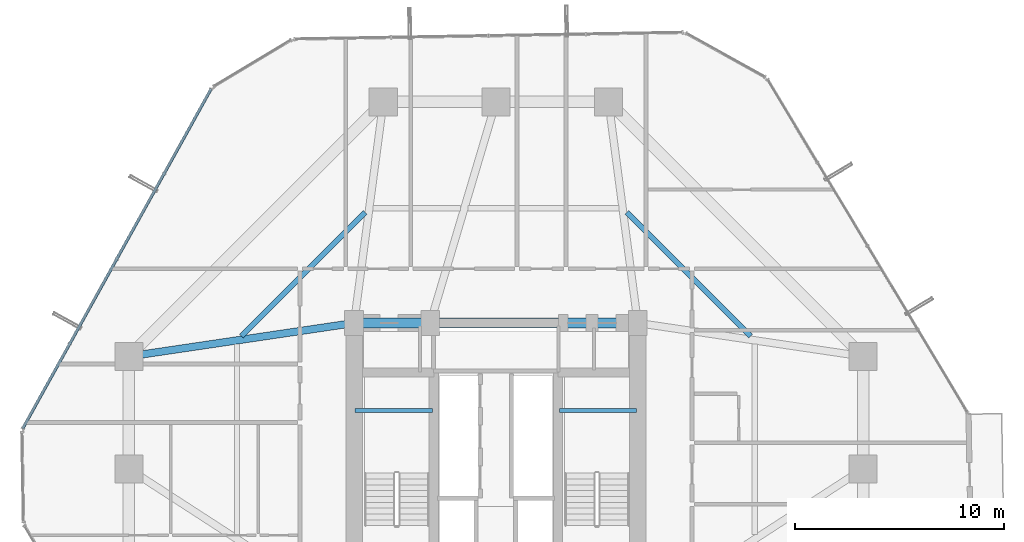
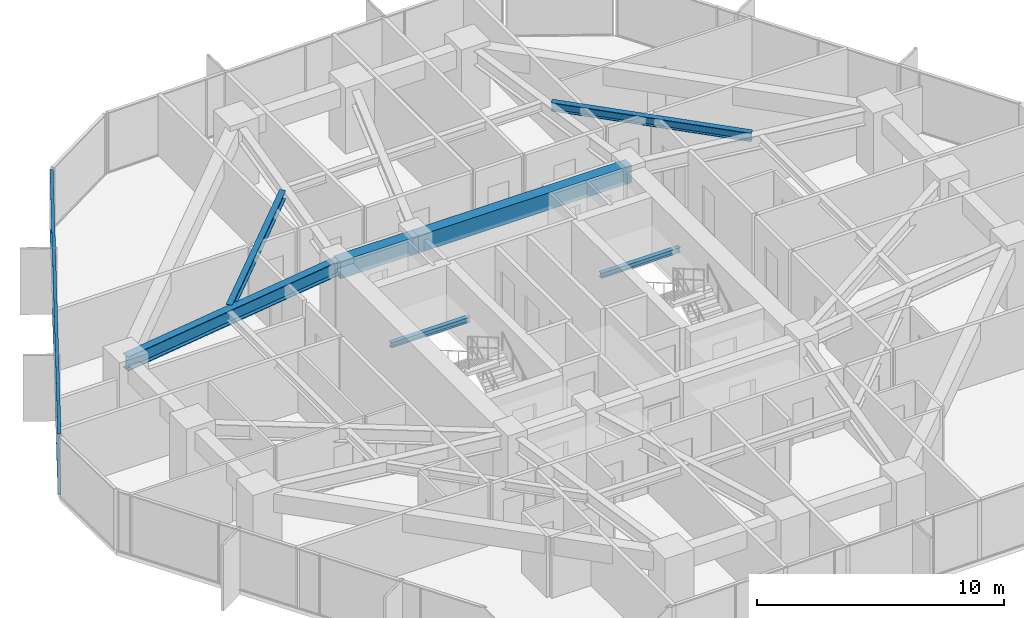
# One storey, part 13 of 39: 7 beams, 2 members, 1 element without a shape of its own.
"""IFC4 building model written with IfcOpenShell, lengths in metres."""

from ifc_helpers import new_model, si_unit, direction, frame, origin, origin_2d, place, context, subcontext, project, spatial, rectangle, hollow_rectangle, i_section, extrude, source, transform, mapped, material, layer, layer_set, material_profile, profile_set, type_object, element, aggregate, save


model = new_model("IFC4")

# Units and contexts
model_context = context("Model", 3, precision=1e-05, world=origin(), true_north=direction((0.0, 1.0)))
body_context = subcontext(model_context, "Body", "Model", "MODEL_VIEW")
ifc_project = project(units=[si_unit("LENGTHUNIT", "METRE"), si_unit("AREAUNIT", "SQUARE_METRE"), si_unit("VOLUMEUNIT", "CUBIC_METRE"), si_unit("PLANEANGLEUNIT", "RADIAN"), si_unit("MASSUNIT", "GRAM", prefix="KILO")], contexts=[model_context])

# Site, building, storey
site_placement = place(None, origin())
site = spatial("IfcSite", under=ifc_project, at=site_placement, CompositionType="ELEMENT")
building_placement = place(site_placement, origin())
building = spatial("IfcBuilding", under=site, at=building_placement, Name="Veraguas Prism Commons", CompositionType="ELEMENT")
storey_placement = place(building_placement, frame((0.0, 0.0, 27.300048828125)))
storey = spatial("IfcBuildingStorey", under=building, at=storey_placement, Name="L06", CompositionType="ELEMENT", Elevation=27.300048828125)

# Beams
ifc_material_1 = material(Name="Concrete C50/60", Category="concrete")
ifc_material_profile_1 = material_profile(ifc_material_1, rectangle(XDim=0.5, YDim=0.85009765625, at=origin_2d()), Name="RC500X850")
ifc_profile_set_1 = profile_set([ifc_material_profile_1], Name="Concrete C50/60")
beam_type_1 = type_object("IfcBeamType", Name="Core Coupling Beam RC 500x850", PredefinedType="BEAM", material=ifc_profile_set_1)
beam_1_placement = place(storey_placement, frame((17.199951171875, 31.0, 2.574951171875), z_axis=(1.0, 0.0, 0.0), x_axis=(0.0, 1.0, 0.0)))
element("IfcBeam", 1, at=beam_1_placement, inside=storey, type_object=beam_type_1, Name="Core Coupling Beam L06-CRN1", PredefinedType="BEAM", context=body_context, shape_type="SweptSolid", body=[
    extrude(rectangle(XDim=0.5, YDim=0.85009765625, at=origin_2d()), origin(), (0.0, 0.0, 1.0), 3.650146484375),
])
beam_2_placement = place(storey_placement, frame((20.85009765625, 31.0, 2.574951171875), z_axis=(1.0, 0.0, 0.0), x_axis=(0.0, 1.0, 0.0)))
element("IfcBeam", 2, at=beam_2_placement, inside=storey, type_object=beam_type_1, Name="Core Coupling Beam L06-CRN2", PredefinedType="BEAM", context=body_context, shape_type="SweptSolid", body=[
    extrude(rectangle(XDim=0.5, YDim=0.85009765625, at=origin_2d()), origin(), (0.0, 0.0, 1.0), 9.949951171875),
])
ifc_material_2 = material(Name="Steel ASTM A992 Grade 50", Category="steel")
ifc_material_profile_2 = material_profile(ifc_material_2, i_section(OverallWidth=0.260986328125, OverallDepth=0.419921875, WebThickness=0.01171875, FlangeThickness=0.019287109375, at=origin_2d()), Name="W410X114")
ifc_profile_set_2 = profile_set([ifc_material_profile_2], Name="Steel ASTM A992 Grade 50")
beam_type_2 = type_object("IfcBeamType", Name="Lower Floor Joist W410x114", PredefinedType="JOIST", material=ifc_profile_set_2)
for number, where, z_axis, x_axis, name in (
    (3, (36.20703125, 30.376953125, 2.7900390625), (-0.707092226423, 0.70712133565, 0.0), (-0.70712133565, -0.707092226423, 0.0), "Composite Floor Joist L06-JS03"),
    (4, (17.723388671875, 36.3076171875, 2.7900390625), (-0.707092226423, -0.70712133565, 0.0), (0.70712133565, -0.707092226423, 0.0), "Composite Floor Joist L06-JS06"),
):
    element("IfcBeam", number, at=place(storey_placement, frame(where, z_axis=z_axis, x_axis=x_axis)), inside=storey, type_object=beam_type_2, Name=name, PredefinedType="JOIST", context=body_context, shape_type="SweptSolid", body=[
        extrude(i_section(OverallWidth=0.260986328125, OverallDepth=0.419921875, WebThickness=0.01171875, FlangeThickness=0.019287109375, at=origin_2d()), origin(), (0.0, 0.0, 1.0), 8.386962890625),
    ])
ifc_material_profile_3 = material_profile(ifc_material_2, i_section(OverallWidth=0.202880859375, OverallDepth=0.251953125, WebThickness=0.008056640625, FlangeThickness=0.013427734375, at=origin_2d()), Name="W250X58")
ifc_profile_set_3 = profile_set([ifc_material_profile_3], Name="Steel ASTM A992 Grade 50")
beam_type_3 = type_object("IfcBeamType", Name="Structural Opening Lintel W250x58", PredefinedType="LINTEL", material=ifc_profile_set_3)
for number, where, z_axis, x_axis, name in (
    (5, (17.25, 26.800048828125, 1.299072265625), (1.0, 0.0, 0.0), (0.0, 1.0, 0.0), "Stair ST-01 Half-Landing Support Beam L06-1"),
    (6, (27.050048828125, 26.800048828125, 1.299072265625), (1.0, 0.0, 0.0), (0.0, 1.0, 0.0), "Stair ST-02 Half-Landing Support Beam L06-1"),
):
    element("IfcBeam", number, at=place(storey_placement, frame(where, z_axis=z_axis, x_axis=x_axis)), inside=storey, type_object=beam_type_3, Name=name, PredefinedType="LINTEL", context=body_context, shape_type="SweptSolid", body=[
        extrude(i_section(OverallWidth=0.202880859375, OverallDepth=0.251953125, WebThickness=0.008056640625, FlangeThickness=0.013427734375, at=origin_2d()), origin(), (0.0, 0.0, 1.0), 3.699951171875),
    ])
ifc_material_profile_4 = material_profile(ifc_material_2, i_section(OverallWidth=0.35595703125, OverallDepth=0.700927734375, WebThickness=0.016845703125, FlangeThickness=0.02734375, at=origin_2d()), Name="W690X240")
ifc_profile_set_4 = profile_set([ifc_material_profile_4], Name="Steel ASTM A992 Grade 50")
beam_type_4 = type_object("IfcBeamType", Name="Zone 1 Radial Girder W690x240", PredefinedType="BEAM", material=ifc_profile_set_4)
beam_3_placement = place(storey_placement, frame((6.39990234375, 29.39990234375, 2.6494140625), z_axis=(0.989202261707, 0.146556765224, 0.0), x_axis=(-0.146556765224, 0.989202261707, 0.0)))
element("IfcBeam", 7, at=beam_3_placement, inside=storey, type_object=beam_type_4, Name="Radial Floor Girder L06-RD07", PredefinedType="BEAM", context=body_context, shape_type="SweptSolid", body=[
    extrude(i_section(OverallWidth=0.35595703125, OverallDepth=0.700927734375, WebThickness=0.016845703125, FlangeThickness=0.02734375, at=origin_2d()), origin(), (0.0, 0.0, 1.0), 10.91796875),
])

# Curtain wall, members
ifc_material_3 = material(Name="Anodised aluminium EN AW-6063 T6", Category="aluminium")
ifc_layer = layer(ifc_material_3, 0.169921875, Name="Unitised Flush Curtain Wall Zone 1", Category="aluminium")
ifc_layer_set = layer_set([ifc_layer], Name="Anodised aluminium EN AW-6063 T6")
curtain_wall_type = type_object("IfcCurtainWallType", Name="Unitised Flush Curtain Wall Zone 1", PredefinedType="NOTDEFINED", material=ifc_layer_set)
curtain_wall_placement = place(storey_placement, origin())
curtain_wall = element("IfcCurtainWall", 8, at=curtain_wall_placement, inside=storey, type_object=curtain_wall_type, Name="Tower Facade Curtain Wall L06-F3", PredefinedType="NOTDEFINED")
ifc_material_profile_5 = material_profile(ifc_material_3, hollow_rectangle(XDim=0.054931640625, YDim=0.135009765625, WallThickness=0.0029296875, at=origin_2d()), Name="AL55X135X3")
ifc_profile_set_5 = profile_set([ifc_material_profile_5], Name="Anodised aluminium EN AW-6063 T6")
member_type = type_object("IfcMemberType", Name="Curtain Wall Transom Standard AL 55x135x3", PredefinedType="USERDEFINED", material=ifc_profile_set_5)
shared_shape = source(origin(), body_context, "Body", "SweptSolid", [
    extrude(hollow_rectangle(XDim=0.054931640625, YDim=0.135009765625, WallThickness=0.0029296875, at=origin_2d()), origin(), (0.0, 0.0, 1.0), 18.62353515625),
])
member_1_placement = place(storey_placement, frame((10.34228515625, 42.2255859375, 0.02734375), z_axis=(-0.48511860001, -0.874448365499, 0.0), x_axis=(0.0, 0.0, 1.0)))
member_1 = element("IfcMember", 9, at=member_1_placement, type_object=member_type, Name="CW-Z1 Transom 1", ObjectType="TRANSOM", PredefinedType="USERDEFINED", context=body_context, shape_type="MappedRepresentation", body=[
    mapped(shared_shape, transform((0.0, 0.0, 0.0), scale=1.0)),
])
member_2_placement = place(storey_placement, frame((10.34228515625, 42.2255859375, 2.972412109375), z_axis=(-0.48511860001, -0.874448365499, 0.0), x_axis=(0.0, 0.0, 1.0)))
member_2 = element("IfcMember", 10, at=member_2_placement, type_object=member_type, Name="CW-Z1 Transom 2", ObjectType="TRANSOM", PredefinedType="USERDEFINED", context=body_context, shape_type="MappedRepresentation", body=[
    mapped(shared_shape, transform((0.0, 0.0, 0.0), scale=1.0)),
])
aggregate(curtain_wall, [member_1, member_2])

save(model, "model.ifc")
